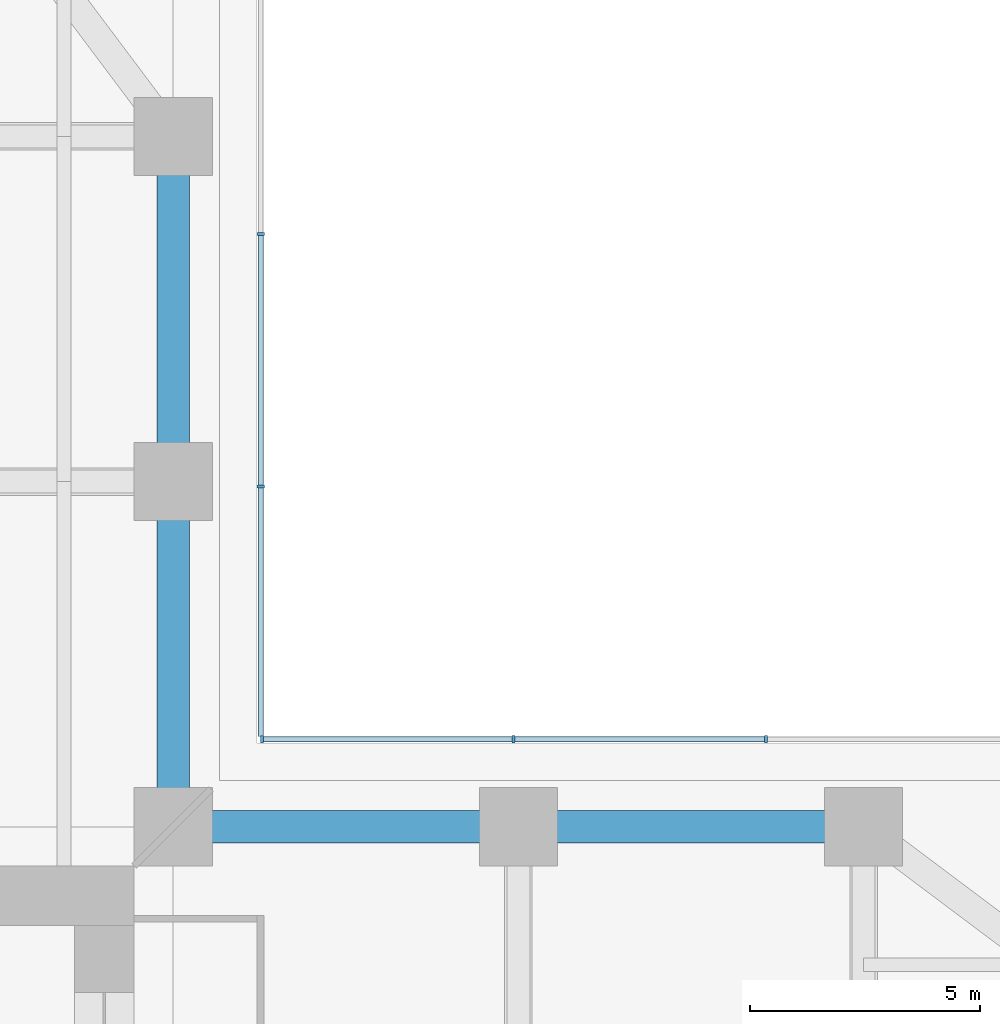
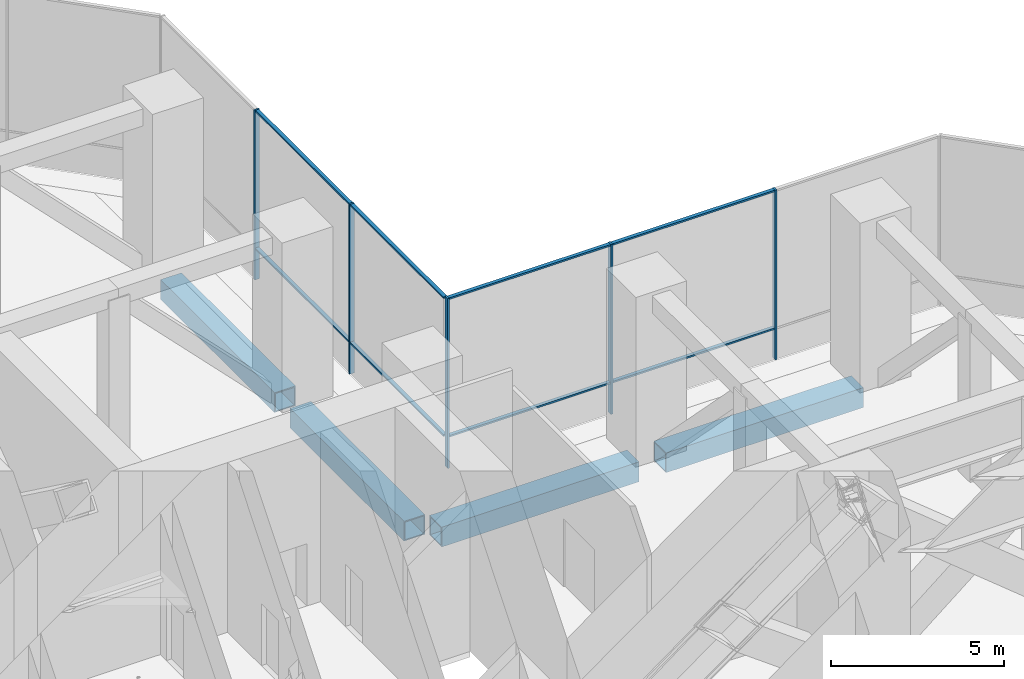
# One storey, part 9 of 19: 13 members, 4 beams, 2 elements without a shape of their own.
"""IFC4 building model written with IfcOpenShell, lengths in metres."""

from ifc_helpers import new_model, si_unit, direction, frame, origin, origin_2d, place, context, subcontext, project, spatial, rectangle, hollow_rectangle, extrude, material, material_profile, profile_set, type_object, element, aggregate, save


model = new_model("IFC4")

# Units and contexts
model_context = context("Model", 3, precision=1e-05, world=origin(), true_north=direction((0.0, 1.0)))
body_context = subcontext(model_context, "Body", "Model", "MODEL_VIEW")
ifc_project = project(units=[si_unit("LENGTHUNIT", "METRE"), si_unit("AREAUNIT", "SQUARE_METRE"), si_unit("VOLUMEUNIT", "CUBIC_METRE"), si_unit("PLANEANGLEUNIT", "RADIAN"), si_unit("MASSUNIT", "GRAM", prefix="KILO")], contexts=[model_context])

# Site, building, storey
site_placement = place(None, origin())
site = spatial("IfcSite", under=ifc_project, at=site_placement, CompositionType="ELEMENT")
building_placement = place(site_placement, origin())
building = spatial("IfcBuilding", under=site, at=building_placement, Name="Mizan Broadcast Tower", CompositionType="ELEMENT")
storey_placement = place(building_placement, frame((0.0, 0.0, 37.5)))
storey = spatial("IfcBuildingStorey", under=building, at=storey_placement, Name="L06", CompositionType="ELEMENT", Elevation=37.5)

# Beams
ifc_material_1 = material(Name="Steel S355", Category="steel")
ifc_material_profile_1 = material_profile(ifc_material_1, hollow_rectangle(XDim=0.699951171875, YDim=0.699951171875, WallThickness=0.0400390625, at=origin_2d()), Name="BOX 700x700x40")
ifc_profile_set_1 = profile_set([ifc_material_profile_1], Name="Steel S355")
beam_type = type_object("IfcBeamType", Name="EDGE BEAM BOX 700x700x40", PredefinedType="SPANDREL", material=ifc_profile_set_1)
for number, where, z_axis, x_axis, name in (
    (1, (12.449951171875, 12.0, -0.60009765625), (1.0, 0.0, 0.0), (0.0, 1.0, 0.0), "Edge beam BOX 700x700x40 L06 east arm"),
    (2, (19.949951171875, 12.0, -0.60009765625), (1.0, 0.0, 0.0), (0.0, 1.0, 0.0), "Edge beam BOX 700x700x40 L06 east arm"),
    (3, (12.0, 12.449951171875, -0.60009765625), (0.0, 1.0, 0.0), (-1.0, 0.0, 0.0), "Edge beam BOX 700x700x40 L06 north arm"),
    (4, (12.0, 19.949951171875, -0.60009765625), (0.0, 1.0, 0.0), (-1.0, 0.0, 0.0), "Edge beam BOX 700x700x40 L06 north arm"),
):
    element("IfcBeam", number, at=place(storey_placement, frame(where, z_axis=z_axis, x_axis=x_axis)), inside=storey, type_object=beam_type, Name=name, PredefinedType="SPANDREL", context=body_context, shape_type="SweptSolid", body=[
        extrude(hollow_rectangle(XDim=0.699951171875, YDim=0.699951171875, WallThickness=0.0400390625, at=origin_2d()), origin(), (0.0, 0.0, 1.0), 6.60009765625),
    ])

# Curtain wall, members
ifc_material_2 = material(Name="Aluminium framed glazing", Category="aluminium")
curtain_wall_type = type_object("IfcCurtainWallType", Name="PLANT LOUVRE", PredefinedType="USERDEFINED", material=ifc_material_2)
curtain_wall_1_placement = place(storey_placement, origin())
curtain_wall_1 = element("IfcCurtainWall", 5, at=curtain_wall_1_placement, inside=storey, type_object=curtain_wall_type, Name="Plant louvre L06 E side", ObjectType="PLANT LOUVRE", PredefinedType="USERDEFINED")
ifc_material_3 = material(Name="Aluminium, pale anodised", Category="aluminium")
ifc_material_profile_2 = material_profile(ifc_material_3, rectangle(XDim=0.159912109375, YDim=0.06005859375, at=origin_2d()), Name="MULLION 160x60")
ifc_profile_set_2 = profile_set([ifc_material_profile_2], Name="Aluminium, pale anodised")
member_type_1 = type_object("IfcMemberType", Name="INNER SKIN MULLION 60x160", PredefinedType="MULLION", material=ifc_profile_set_2)
member_1_placement = place(storey_placement, frame((24.8818359375, 13.89990234375, 0.0), z_axis=(0.0, 0.0, 1.0), x_axis=(0.0, -1.0, 0.0)))
member_1 = element("IfcMember", 6, at=member_1_placement, type_object=member_type_1, Name="Plant louvre L06 E side mullion 2", PredefinedType="MULLION", context=body_context, shape_type="SweptSolid", body=[
    extrude(rectangle(XDim=0.159912109375, YDim=0.06005859375, at=origin_2d()), origin(), (0.0, 0.0, 1.0), 6.0),
])
member_2_placement = place(storey_placement, frame((19.390869140625, 13.89990234375, 0.0), z_axis=(0.0, 0.0, 1.0), x_axis=(0.0, -1.0, 0.0)))
member_2 = element("IfcMember", 7, at=member_2_placement, type_object=member_type_1, Name="Plant louvre L06 E side mullion 3", PredefinedType="MULLION", context=body_context, shape_type="SweptSolid", body=[
    extrude(rectangle(XDim=0.159912109375, YDim=0.06005859375, at=origin_2d()), origin(), (0.0, 0.0, 1.0), 6.0),
])
member_3_placement = place(storey_placement, frame((13.929931640625, 13.89990234375, 0.0), z_axis=(0.0, 0.0, 1.0), x_axis=(0.0, -1.0, 0.0)))
member_3 = element("IfcMember", 8, at=member_3_placement, type_object=member_type_1, Name="Plant louvre L06 E side mullion 4", PredefinedType="MULLION", context=body_context, shape_type="SweptSolid", body=[
    extrude(rectangle(XDim=0.159912109375, YDim=0.06005859375, at=origin_2d()), origin(), (0.0, 0.0, 1.0), 6.0),
])

curtain_wall_2_placement = place(storey_placement, origin())
curtain_wall_2 = element("IfcCurtainWall", 9, at=curtain_wall_2_placement, inside=storey, type_object=curtain_wall_type, Name="Plant louvre L06 N side", ObjectType="PLANT LOUVRE", PredefinedType="USERDEFINED")
member_4_placement = place(storey_placement, frame((13.89990234375, 19.390869140625, 0.0), z_axis=(0.0, 0.0, 1.0), x_axis=(-1.0, 0.0, 0.0)))
member_4 = element("IfcMember", 10, at=member_4_placement, type_object=member_type_1, Name="Plant louvre L06 N side mullion 2", PredefinedType="MULLION", context=body_context, shape_type="SweptSolid", body=[
    extrude(rectangle(XDim=0.159912109375, YDim=0.06005859375, at=origin_2d()), origin(), (0.0, 0.0, 1.0), 6.0),
])
member_5_placement = place(storey_placement, frame((13.89990234375, 24.8818359375, 0.0), z_axis=(0.0, 0.0, 1.0), x_axis=(-1.0, 0.0, 0.0)))
member_5 = element("IfcMember", 11, at=member_5_placement, type_object=member_type_1, Name="Plant louvre L06 N side mullion 3", PredefinedType="MULLION", context=body_context, shape_type="SweptSolid", body=[
    extrude(rectangle(XDim=0.159912109375, YDim=0.06005859375, at=origin_2d()), origin(), (0.0, 0.0, 1.0), 6.0),
])

# Member
ifc_material_4 = material(Name="Aluminium, pale anodised", Category="aluminium")
ifc_material_profile_3 = material_profile(ifc_material_4, rectangle(XDim=0.1201171875, YDim=0.06005859375, at=origin_2d()), Name="TRANSOM 120x60")
ifc_profile_set_3 = profile_set([ifc_material_profile_3], Name="Aluminium, pale anodised")
member_type_2 = type_object("IfcMemberType", Name="INNER SKIN TRANSOM 60x120", PredefinedType="USERDEFINED", material=ifc_profile_set_3)
member_6_placement = place(storey_placement, frame((24.851806640625, 13.89990234375, 1.10009765625), z_axis=(-1.0, 0.0, 0.0), x_axis=(0.0, -1.0, 0.0)))
member_6 = element("IfcMember", 12, at=member_6_placement, type_object=member_type_2, Name="Plant louvre L06 E side transom 2.1", ObjectType="TRANSOM", PredefinedType="USERDEFINED", context=body_context, shape_type="SweptSolid", body=[
    extrude(rectangle(XDim=0.1201171875, YDim=0.06005859375, at=origin_2d()), origin(), (0.0, 0.0, 1.0), 5.430908203125),
])

member_7_placement = place(storey_placement, frame((24.851806640625, 13.89990234375, 5.969970703125), z_axis=(-1.0, 0.0, 0.0), x_axis=(0.0, -1.0, 0.0)))
member_7 = element("IfcMember", 13, at=member_7_placement, type_object=member_type_2, Name="Plant louvre L06 E side transom 2.2", ObjectType="TRANSOM", PredefinedType="USERDEFINED", context=body_context, shape_type="SweptSolid", body=[
    extrude(rectangle(XDim=0.1201171875, YDim=0.06005859375, at=origin_2d()), origin(), (0.0, 0.0, 1.0), 5.430908203125),
])

member_8_placement = place(storey_placement, frame((19.36083984375, 13.89990234375, 1.10009765625), z_axis=(-1.0, 0.0, 0.0), x_axis=(0.0, -1.0, 0.0)))
member_8 = element("IfcMember", 14, at=member_8_placement, type_object=member_type_2, Name="Plant louvre L06 E side transom 3.1", ObjectType="TRANSOM", PredefinedType="USERDEFINED", context=body_context, shape_type="SweptSolid", body=[
    extrude(rectangle(XDim=0.1201171875, YDim=0.06005859375, at=origin_2d()), origin(), (0.0, 0.0, 1.0), 5.40087890625),
])

member_9_placement = place(storey_placement, frame((19.36083984375, 13.89990234375, 5.969970703125), z_axis=(-1.0, 0.0, 0.0), x_axis=(0.0, -1.0, 0.0)))
member_9 = element("IfcMember", 15, at=member_9_placement, type_object=member_type_2, Name="Plant louvre L06 E side transom 3.2", ObjectType="TRANSOM", PredefinedType="USERDEFINED", context=body_context, shape_type="SweptSolid", body=[
    extrude(rectangle(XDim=0.1201171875, YDim=0.06005859375, at=origin_2d()), origin(), (0.0, 0.0, 1.0), 5.40087890625),
])

aggregate(curtain_wall_1, [member_1, member_2, member_3, member_6, member_7, member_8, member_9])

member_10_placement = place(storey_placement, frame((13.89990234375, 13.9599609375, 1.10009765625), z_axis=(0.0, 1.0, 0.0), x_axis=(-1.0, 0.0, 0.0)))
member_10 = element("IfcMember", 16, at=member_10_placement, type_object=member_type_2, Name="Plant louvre L06 N side transom 1.1", ObjectType="TRANSOM", PredefinedType="USERDEFINED", context=body_context, shape_type="SweptSolid", body=[
    extrude(rectangle(XDim=0.1201171875, YDim=0.06005859375, at=origin_2d()), origin(), (0.0, 0.0, 1.0), 5.40087890625),
])

member_11_placement = place(storey_placement, frame((13.89990234375, 13.9599609375, 5.969970703125), z_axis=(0.0, 1.0, 0.0), x_axis=(-1.0, 0.0, 0.0)))
member_11 = element("IfcMember", 17, at=member_11_placement, type_object=member_type_2, Name="Plant louvre L06 N side transom 1.2", ObjectType="TRANSOM", PredefinedType="USERDEFINED", context=body_context, shape_type="SweptSolid", body=[
    extrude(rectangle(XDim=0.1201171875, YDim=0.06005859375, at=origin_2d()), origin(), (0.0, 0.0, 1.0), 5.40087890625),
])

member_12_placement = place(storey_placement, frame((13.89990234375, 19.4208984375, 1.10009765625), z_axis=(0.0, 1.0, 0.0), x_axis=(-1.0, 0.0, 0.0)))
member_12 = element("IfcMember", 18, at=member_12_placement, type_object=member_type_2, Name="Plant louvre L06 N side transom 2.1", ObjectType="TRANSOM", PredefinedType="USERDEFINED", context=body_context, shape_type="SweptSolid", body=[
    extrude(rectangle(XDim=0.1201171875, YDim=0.06005859375, at=origin_2d()), origin(), (0.0, 0.0, 1.0), 5.430908203125),
])

member_13_placement = place(storey_placement, frame((13.89990234375, 19.4208984375, 5.969970703125), z_axis=(0.0, 1.0, 0.0), x_axis=(-1.0, 0.0, 0.0)))
member_13 = element("IfcMember", 19, at=member_13_placement, type_object=member_type_2, Name="Plant louvre L06 N side transom 2.2", ObjectType="TRANSOM", PredefinedType="USERDEFINED", context=body_context, shape_type="SweptSolid", body=[
    extrude(rectangle(XDim=0.1201171875, YDim=0.06005859375, at=origin_2d()), origin(), (0.0, 0.0, 1.0), 5.430908203125),
])

aggregate(curtain_wall_2, [member_4, member_5, member_10, member_11, member_12, member_13])

save(model, "model.ifc")
